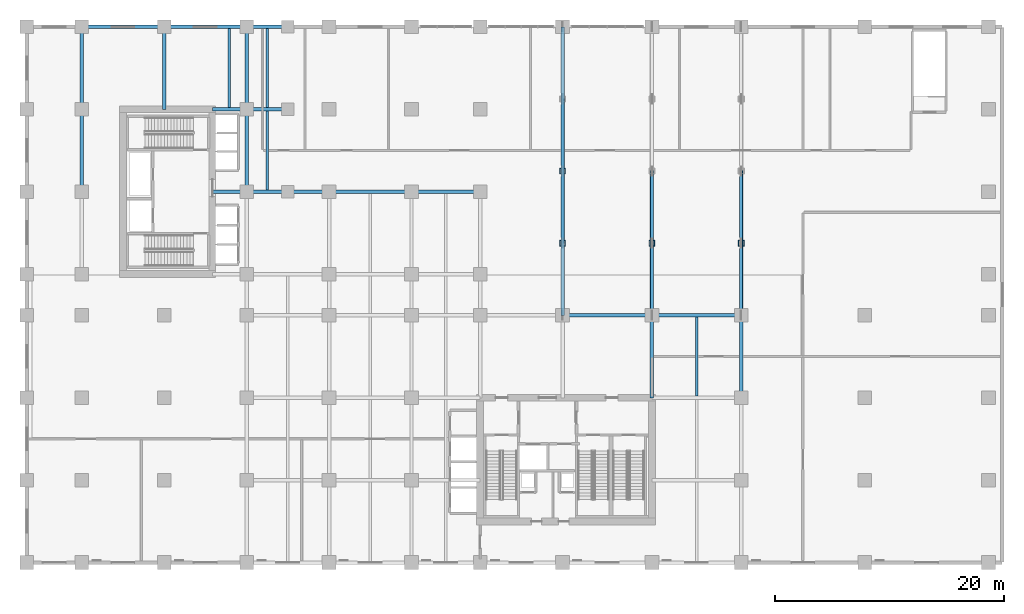
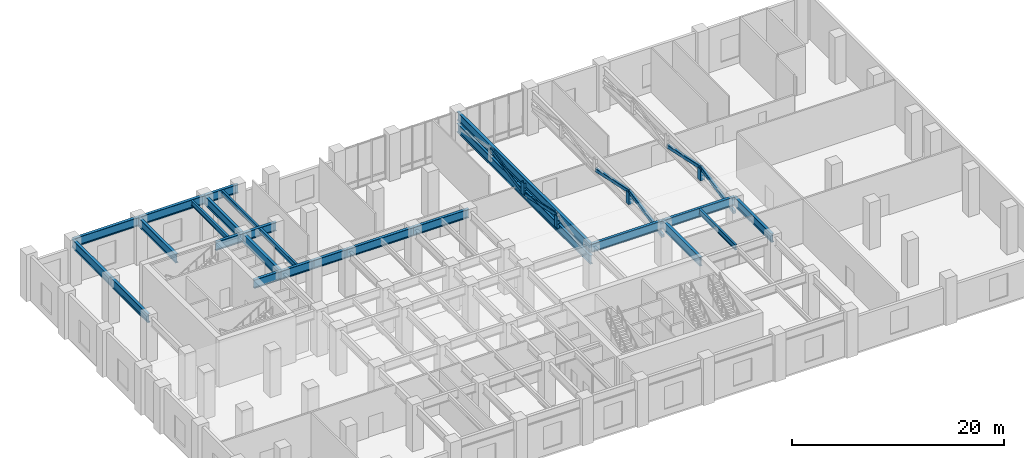
# One storey, part 2 of 19: 23 beams, 12 members.
"""IFC4 building model written with IfcOpenShell, lengths in metres."""

from ifc_helpers import new_model, si_unit, derived_unit, direction, frame, origin, origin_2d, place, context, subcontext, project, spatial, hollow_rectangle, i_section, extrude, source, transform, mapped, material, material_profile, profile_set, type_object, type_shapes, element, save


model = new_model("IFC4")

# Units and contexts
model_context = context("Model", 3, precision=1e-05, world=origin(), true_north=direction((0.0, 1.0)))
body_context = subcontext(model_context, "Body", "Model", "MODEL_VIEW")
ifc_project = project(units=[si_unit("LENGTHUNIT", "METRE"), si_unit("AREAUNIT", "SQUARE_METRE"), si_unit("VOLUMEUNIT", "CUBIC_METRE"), si_unit("PLANEANGLEUNIT", "RADIAN"), si_unit("MASSUNIT", "GRAM", prefix="KILO"), si_unit("THERMODYNAMICTEMPERATUREUNIT", "KELVIN"), si_unit("POWERUNIT", "WATT"), derived_unit("THERMALTRANSMITTANCEUNIT", [(si_unit("POWERUNIT", "WATT"), 1), (si_unit("AREAUNIT", "SQUARE_METRE"), -1), (si_unit("THERMODYNAMICTEMPERATUREUNIT", "KELVIN"), -1)])], contexts=[model_context])

# Site, building, storey
site_placement = place(None, origin())
site = spatial("IfcSite", under=ifc_project, at=site_placement, CompositionType="ELEMENT")
building_placement = place(site_placement, origin())
building = spatial("IfcBuilding", under=site, at=building_placement, Name="Zahravan Archway Hotel and Residences", CompositionType="ELEMENT")
storey_placement = place(building_placement, frame((0.0, 0.0, 21.60009765625)))
storey = spatial("IfcBuildingStorey", under=building, at=storey_placement, Name="L04", CompositionType="ELEMENT", Elevation=21.60009765625)

# Beams
ifc_material_1 = material(Name="Structural Steel S355J2", Category="steel")
ifc_material_profile_1 = material_profile(ifc_material_1, i_section(OverallWidth=0.300048828125, OverallDepth=1.0, WebThickness=0.01904296875, FlangeThickness=0.035888671875, FilletRadius=0.030029296875, at=origin_2d()), Name="HEB 1000", Category="steel")
ifc_profile_set_1 = profile_set([ifc_material_profile_1], Name="Structural Steel S355J2")
beam_type_1 = type_object("IfcBeamType", Name="BM-PRI-HEB1000", PredefinedType="BEAM", material=ifc_profile_set_1)
shared_shape_1 = source(origin(), body_context, "Body", "SweptSolid", [
    extrude(i_section(OverallWidth=0.300048828125, OverallDepth=1.0, WebThickness=0.01904296875, FlangeThickness=0.035888671875, FilletRadius=0.030029296875, at=origin_2d()), origin(), (0.0, 0.0, 1.0), 7.199951171875),
])
for number, where, z_axis, x_axis, name in (
    (1, (21.60009765625, 32.39990234375, 4.599853515625), (1.0, 0.0, 0.0), (0.0, 1.0, 0.0), "L04 Primary Girder EW-28"),
    (2, (0.0, 46.800048828125, 4.599853515625), (1.0, 0.0, 0.0), (0.0, 1.0, 0.0), "L04 Primary Girder EW-32"),
    (3, (7.199951171875, 46.800048828125, 4.599853515625), (1.0, 0.0, 0.0), (0.0, 1.0, 0.0), "L04 Primary Girder EW-33"),
    (4, (0.0, 39.60009765625, 4.599853515625), (0.0, 1.0, 0.0), (-1.0, 0.0, 0.0), "L04 Primary Girder NS-37"),
    (5, (7.199951171875, 39.60009765625, 4.599853515625), (0.0, 1.0, 0.0), (-1.0, 0.0, 0.0), "L04 Primary Girder NS-38"),
    (6, (14.39990234375, 39.60009765625, 4.599853515625), (0.0, 1.0, 0.0), (-1.0, 0.0, 0.0), "L04 Primary Girder NS-45"),
):
    element("IfcBeam", number, at=place(storey_placement, frame(where, z_axis=z_axis, x_axis=x_axis)), inside=storey, type_object=beam_type_1, Name=name, PredefinedType="BEAM", context=body_context, shape_type="MappedRepresentation", body=[
        mapped(shared_shape_1, transform((0.0, 0.0, 0.0), scale=1.0)),
    ])
shared_shape_2 = source(origin(), body_context, "Body", "SweptSolid", [
    extrude(i_section(OverallWidth=0.300048828125, OverallDepth=1.0, WebThickness=0.01904296875, FlangeThickness=0.035888671875, FilletRadius=0.030029296875, at=origin_2d()), origin(), (0.0, 0.0, 1.0), 7.2001953125),
])
for number, where, z_axis, x_axis, name in (
    (7, (0.0, 32.39990234375, 4.599853515625), (0.0, 1.0, 0.0), (-1.0, 0.0, 0.0), "L04 Primary Girder NS-36"),
    (8, (14.39990234375, 32.39990234375, 4.599853515625), (0.0, 1.0, 0.0), (-1.0, 0.0, 0.0), "L04 Primary Girder NS-44"),
    (9, (49.800048828125, 14.39990234375, 4.599853515625), (0.0, 1.0, 0.0), (-1.0, 0.0, 0.0), "L04 Primary Girder NS-60"),
    (10, (57.60009765625, 14.39990234375, 4.599853515625), (0.0, 1.0, 0.0), (-1.0, 0.0, 0.0), "L04 Primary Girder NS-63"),
):
    element("IfcBeam", number, at=place(storey_placement, frame(where, z_axis=z_axis, x_axis=x_axis)), inside=storey, type_object=beam_type_1, Name=name, PredefinedType="BEAM", context=body_context, shape_type="MappedRepresentation", body=[
        mapped(shared_shape_2, transform((0.0, 0.0, 0.0), scale=1.0)),
    ])
shared_shape_3 = source(origin(), body_context, "Body", "SweptSolid", [
    extrude(i_section(OverallWidth=0.300048828125, OverallDepth=1.0, WebThickness=0.01904296875, FlangeThickness=0.035888671875, FilletRadius=0.030029296875, at=origin_2d()), origin(), (0.0, 0.0, 1.0), 6.0),
])
beam_placement = place(storey_placement, frame((28.800048828125, 32.39990234375, 4.599853515625), z_axis=(1.0, 0.0, 0.0), x_axis=(0.0, 1.0, 0.0)))
element("IfcBeam", 11, at=beam_placement, inside=storey, type_object=beam_type_1, Name="L04 Primary Girder EW-29", PredefinedType="BEAM", context=body_context, shape_type="MappedRepresentation", body=[
    mapped(shared_shape_3, transform((0.0, 0.0, 0.0), scale=1.0)),
])
shared_shape_4 = source(origin(), body_context, "Body", "SweptSolid", [
    extrude(i_section(OverallWidth=0.300048828125, OverallDepth=1.0, WebThickness=0.01904296875, FlangeThickness=0.035888671875, FilletRadius=0.030029296875, at=origin_2d()), origin(), (0.0, 0.0, 1.0), 7.800048828125),
])
for number, where, z_axis, x_axis, name in (
    (12, (42.0, 21.60009765625, 4.599853515625), (1.0, 0.0, 0.0), (0.0, 1.0, 0.0), "L04 Primary Girder EW-19"),
    (13, (49.800048828125, 21.60009765625, 4.599853515625), (1.0, 0.0, 0.0), (0.0, 1.0, 0.0), "L04 Primary Girder EW-20"),
):
    element("IfcBeam", number, at=place(storey_placement, frame(where, z_axis=z_axis, x_axis=x_axis)), inside=storey, type_object=beam_type_1, Name=name, PredefinedType="BEAM", context=body_context, shape_type="MappedRepresentation", body=[
        mapped(shared_shape_4, transform((0.0, 0.0, 0.0), scale=1.0)),
    ])
shared_shape_5 = source(origin(), body_context, "Body", "SweptSolid", [
    extrude(i_section(OverallWidth=0.300048828125, OverallDepth=1.0, WebThickness=0.01904296875, FlangeThickness=0.035888671875, FilletRadius=0.030029296875, at=origin_2d()), origin(), (0.0, 0.0, 1.0), 3.0),
])
for number, where, z_axis, x_axis, name in (
    (14, (11.39990234375, 32.39990234375, 4.599853515625), (1.0, 0.0, 0.0), (0.0, 1.0, 0.0), "L04 Primary Girder EW-25"),
    (15, (11.39990234375, 39.60009765625, 4.599853515625), (1.0, 0.0, 0.0), (0.0, 1.0, 0.0), "L04 Primary Girder EW-30"),
):
    element("IfcBeam", number, at=place(storey_placement, frame(where, z_axis=z_axis, x_axis=x_axis)), inside=storey, type_object=beam_type_1, Name=name, PredefinedType="BEAM", context=body_context, shape_type="MappedRepresentation", body=[
        mapped(shared_shape_5, transform((0.0, 0.0, 0.0), scale=1.0)),
    ])
shared_shape_6 = source(origin(), body_context, "Body", "SweptSolid", [
    extrude(i_section(OverallWidth=0.300048828125, OverallDepth=1.0, WebThickness=0.01904296875, FlangeThickness=0.035888671875, FilletRadius=0.030029296875, at=origin_2d()), origin(), (0.0, 0.0, 1.0), 3.60009765625),
])
for number, where, z_axis, x_axis, name in (
    (16, (14.39990234375, 32.39990234375, 4.599853515625), (1.0, 0.0, 0.0), (0.0, 1.0, 0.0), "L04 Primary Girder EW-26"),
    (17, (18.0, 32.39990234375, 4.599853515625), (1.0, 0.0, 0.0), (0.0, 1.0, 0.0), "L04 Primary Girder EW-27"),
    (18, (14.39990234375, 39.60009765625, 4.599853515625), (1.0, 0.0, 0.0), (0.0, 1.0, 0.0), "L04 Primary Girder EW-31"),
    (19, (14.39990234375, 46.800048828125, 4.599853515625), (1.0, 0.0, 0.0), (0.0, 1.0, 0.0), "L04 Primary Girder EW-34"),
):
    element("IfcBeam", number, at=place(storey_placement, frame(where, z_axis=z_axis, x_axis=x_axis)), inside=storey, type_object=beam_type_1, Name=name, PredefinedType="BEAM", context=body_context, shape_type="MappedRepresentation", body=[
        mapped(shared_shape_6, transform((0.0, 0.0, 0.0), scale=1.0)),
    ])
ifc_material_2 = material(Name="Structural Steel S355JR", Category="steel")
ifc_material_profile_2 = material_profile(ifc_material_2, i_section(OverallWidth=0.219970703125, OverallDepth=0.60009765625, WebThickness=0.011962890625, FlangeThickness=0.01904296875, FilletRadius=0.02392578125, at=origin_2d()), Name="IPE 600", Category="steel")
ifc_profile_set_2 = profile_set([ifc_material_profile_2], Name="Structural Steel S355JR")
beam_type_2 = type_object("IfcBeamType", Name="BM-JST-IPE600", PredefinedType="JOIST", material=ifc_profile_set_2)
shared_shape_7 = source(origin(), body_context, "Body", "SweptSolid", [
    extrude(i_section(OverallWidth=0.219970703125, OverallDepth=0.60009765625, WebThickness=0.011962890625, FlangeThickness=0.01904296875, FilletRadius=0.02392578125, at=origin_2d()), origin(), (0.0, 0.0, 1.0), 6.904052734375),
])
type_shapes(beam_type_2, [shared_shape_7])
for number, where, z_axis, x_axis, name in (
    (20, (12.89990234375, 39.748046875, 4.7998046875), (0.0, 1.0, 0.0), (-1.0, 0.0, 0.0), "L04 Composite Floor Joist 19"),
    (21, (16.199951171875, 39.748046875, 4.7998046875), (0.0, 1.0, 0.0), (-1.0, 0.0, 0.0), "L04 Composite Floor Joist 20"),
):
    element("IfcBeam", number, at=place(storey_placement, frame(where, z_axis=z_axis, x_axis=x_axis)), inside=storey, type_object=beam_type_2, Name=name, PredefinedType="JOIST", context=body_context, shape_type="MappedRepresentation", body=[
        mapped(shared_shape_7, transform((0.0, 0.0, 0.0), scale=1.0)),
    ])
shared_shape_8 = source(origin(), body_context, "Body", "SweptSolid", [
    extrude(i_section(OverallWidth=0.219970703125, OverallDepth=0.60009765625, WebThickness=0.011962890625, FlangeThickness=0.01904296875, FilletRadius=0.02392578125, at=origin_2d()), origin(), (0.0, 0.0, 1.0), 6.90380859375),
])
for number, where, z_axis, x_axis, name in (
    (22, (53.699951171875, 14.548095703125, 4.7998046875), (0.0, 1.0, 0.0), (-1.0, 0.0, 0.0), "L04 Composite Floor Joist 12"),
    (23, (16.199951171875, 32.548095703125, 4.7998046875), (0.0, 1.0, 0.0), (-1.0, 0.0, 0.0), "L04 Composite Floor Joist 18"),
):
    element("IfcBeam", number, at=place(storey_placement, frame(where, z_axis=z_axis, x_axis=x_axis)), inside=storey, type_object=beam_type_2, Name=name, PredefinedType="JOIST", context=body_context, shape_type="MappedRepresentation", body=[
        mapped(shared_shape_8, transform((0.0, 0.0, 0.0), scale=1.0)),
    ])

# Members
ifc_material_3 = material(Name="Structural Steel S460M", Category="steel")
ifc_material_profile_3 = material_profile(ifc_material_3, i_section(OverallWidth=0.302001953125, OverallDepth=1.008056640625, WebThickness=0.02099609375, FlangeThickness=0.0400390625, FilletRadius=0.030029296875, at=origin_2d()), Name="HEM 1000", Category="steel")
ifc_profile_set_3 = profile_set([ifc_material_profile_3], Name="Structural Steel S460M")
member_type_1 = type_object("IfcMemberType", Name="MEM-CHD-HEM1000", PredefinedType="CHORD", material=ifc_profile_set_3)
shared_shape_9 = source(origin(), body_context, "Body", "SweptSolid", [
    extrude(i_section(OverallWidth=0.302001953125, OverallDepth=1.008056640625, WebThickness=0.02099609375, FlangeThickness=0.0400390625, FilletRadius=0.030029296875, at=origin_2d()), origin(), (0.0, 0.0, 1.0), 25.199951171875),
])
type_shapes(member_type_1, [shared_shape_9])
for number, where, z_axis, x_axis, name in (
    (24, (42.0, 21.60009765625, 4.5498046875), (0.0, 1.0, 0.0), (-1.0, 0.0, 0.0), "L04 Long-Span Transfer Truss 1 Top Chord"),
    (25, (42.0, 21.60009765625, 3.199951171875), (0.0, 1.0, 0.0), (-1.0, 0.0, 0.0), "L04 Long-Span Transfer Truss 1 Bottom Chord"),
):
    element("IfcMember", number, at=place(storey_placement, frame(where, z_axis=z_axis, x_axis=x_axis)), inside=storey, type_object=member_type_1, Name=name, PredefinedType="CHORD", context=body_context, shape_type="MappedRepresentation", body=[
        mapped(shared_shape_9, transform((0.0, 0.0, 0.0), scale=1.0)),
    ])
ifc_material_profile_4 = material_profile(ifc_material_3, hollow_rectangle(XDim=0.5, YDim=0.5, WallThickness=0.02490234375, at=origin_2d()), Name="SHS 500x500x25", Category="steel")
ifc_profile_set_4 = profile_set([ifc_material_profile_4], Name="Structural Steel S460M")
member_type_2 = type_object("IfcMemberType", Name="MEM-POST-SHS500", PredefinedType="POST", material=ifc_profile_set_4)
shared_shape_10 = source(origin(), body_context, "Body", "SweptSolid", [
    extrude(hollow_rectangle(XDim=0.5, YDim=0.5, WallThickness=0.02490234375, at=origin_2d()), origin(), (0.0, 0.0, 1.0), 1.349853515625),
])
for number, where, z_axis, x_axis, name in (
    (26, (42.0, 27.89990234375, 3.199951171875), (0.0, 0.0, 1.0), (1.0, 0.0, 0.0), "L04 Long-Span Truss 1 Post 1"),
    (27, (42.0, 34.199951171875, 3.199951171875), (0.0, 0.0, 1.0), (1.0, 0.0, 0.0), "L04 Long-Span Truss 1 Post 2"),
    (28, (49.800048828125, 27.89990234375, 3.199951171875), (0.0, 0.0, 1.0), (1.0, 0.0, 0.0), "L04 Long-Span Truss 2 Post 1"),
    (29, (57.60009765625, 27.89990234375, 3.199951171875), (0.0, 0.0, 1.0), (1.0, 0.0, 0.0), "L04 Long-Span Truss 3 Post 1"),
):
    element("IfcMember", number, at=place(storey_placement, frame(where, z_axis=z_axis, x_axis=x_axis)), inside=storey, type_object=member_type_2, Name=name, PredefinedType="POST", context=body_context, shape_type="MappedRepresentation", body=[
        mapped(shared_shape_10, transform((0.0, 0.0, 0.0), scale=1.0)),
    ])
ifc_material_profile_5 = material_profile(ifc_material_3, hollow_rectangle(XDim=0.300048828125, YDim=0.39990234375, WallThickness=0.02001953125, InnerFilletRadius=0.02001953125, OuterFilletRadius=0.0400390625, at=origin_2d()), Name="RHS 400x300x20", Category="steel")
ifc_profile_set_5 = profile_set([ifc_material_profile_5], Name="Structural Steel S460M")
member_type_3 = type_object("IfcMemberType", Name="MEM-DIAG-RHS430", PredefinedType="BRACE", material=ifc_profile_set_5)
shared_shape_11 = source(origin(), body_context, "Body", "SweptSolid", [
    extrude(hollow_rectangle(XDim=0.300048828125, YDim=0.39990234375, WallThickness=0.02001953125, InnerFilletRadius=0.02001953125, OuterFilletRadius=0.0400390625, at=origin_2d()), origin(), (0.0, 0.0, 1.0), 6.44287109375),
])
type_shapes(member_type_3, [shared_shape_11])
for number, where, z_axis, x_axis, name in (
    (30, (49.800048828125, 21.60009765625, 3.199951171875), (0.0, 0.977805741195, 0.209513561582), (-1.0, 0.0, 0.0), "L04 Long-Span Truss 2 Diagonal 1"),
    (31, (57.60009765625, 21.60009765625, 3.199951171875), (0.0, 0.977805741195, 0.209513561582), (-1.0, 0.0, 0.0), "L04 Long-Span Truss 3 Diagonal 1"),
):
    element("IfcMember", number, at=place(storey_placement, frame(where, z_axis=z_axis, x_axis=x_axis)), inside=storey, type_object=member_type_3, Name=name, PredefinedType="BRACE", context=body_context, shape_type="MappedRepresentation", body=[
        mapped(shared_shape_11, transform((0.0, 0.0, 0.0), scale=1.0)),
    ])
shared_shape_12 = source(origin(), body_context, "Body", "SweptSolid", [
    extrude(hollow_rectangle(XDim=0.300048828125, YDim=0.39990234375, WallThickness=0.02001953125, InnerFilletRadius=0.02001953125, OuterFilletRadius=0.0400390625, at=origin_2d()), origin(), (0.0, 0.0, 1.0), 6.443115234375),
])
for number, where, z_axis, x_axis, name in (
    (32, (42.0, 27.89990234375, 4.5498046875), (0.0, 0.977807404476, -0.209505798851), (-1.0, 0.0, 0.0), "L04 Long-Span Truss 1 Diagonal 2"),
    (33, (42.0, 34.199951171875, 3.199951171875), (0.0, 0.977807404476, 0.209505798851), (-1.0, 0.0, 0.0), "L04 Long-Span Truss 1 Diagonal 3"),
    (34, (49.800048828125, 27.89990234375, 4.5498046875), (0.0, 0.977807404476, -0.209505798851), (-1.0, 0.0, 0.0), "L04 Long-Span Truss 2 Diagonal 2"),
    (35, (57.60009765625, 27.89990234375, 4.5498046875), (0.0, 0.977807404476, -0.209505798851), (-1.0, 0.0, 0.0), "L04 Long-Span Truss 3 Diagonal 2"),
):
    element("IfcMember", number, at=place(storey_placement, frame(where, z_axis=z_axis, x_axis=x_axis)), inside=storey, type_object=member_type_3, Name=name, PredefinedType="BRACE", context=body_context, shape_type="MappedRepresentation", body=[
        mapped(shared_shape_12, transform((0.0, 0.0, 0.0), scale=1.0)),
    ])

save(model, "model.ifc")
